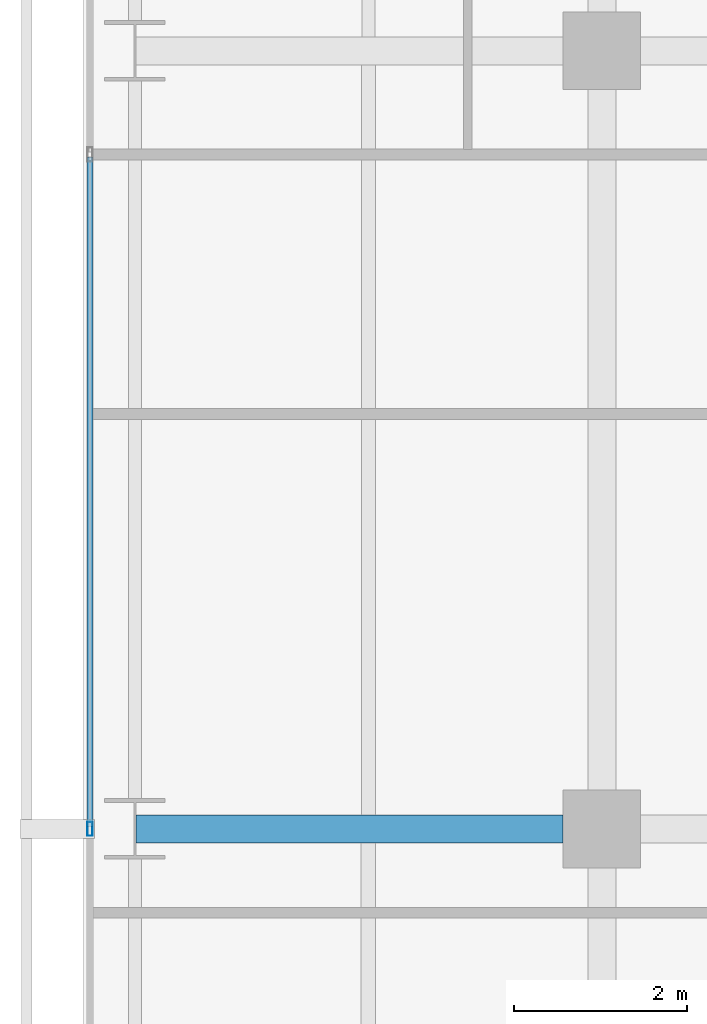
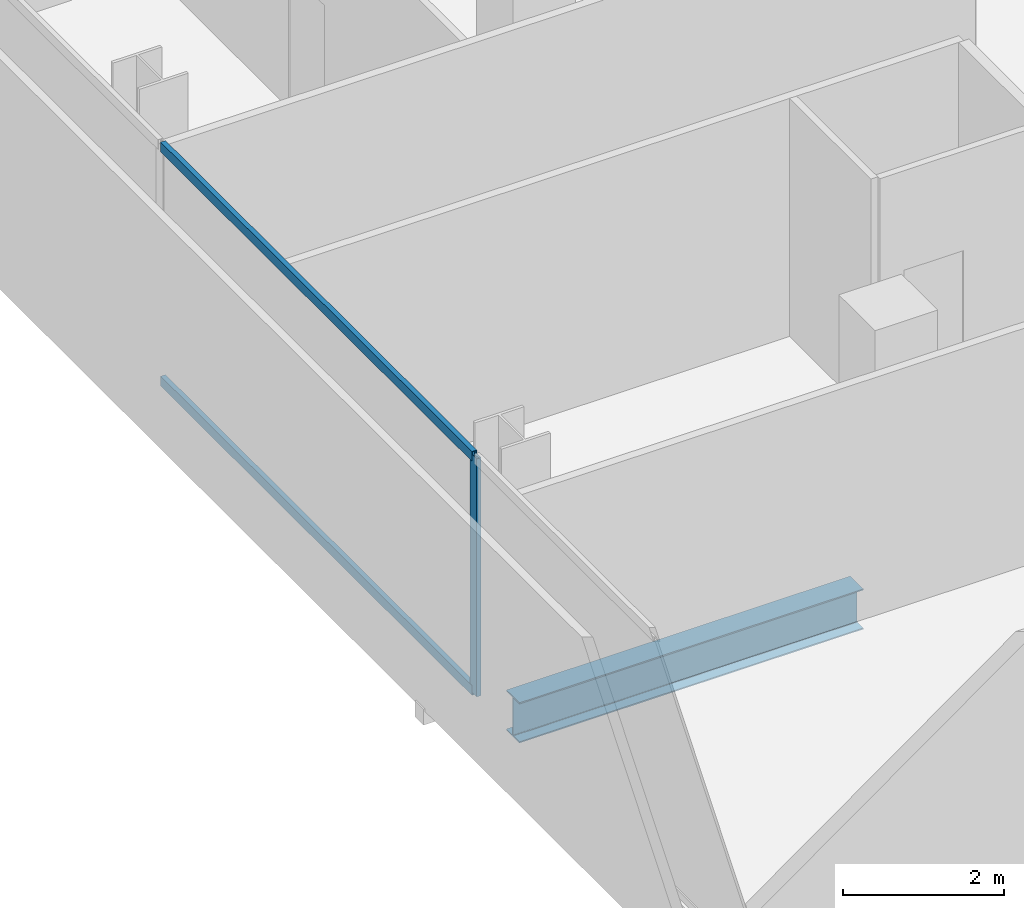
# One storey, part 12 of 40: 3 members, 1 beam, 1 element without a shape of its own.
"""IFC4 building model written with IfcOpenShell, lengths in metres."""

from ifc_helpers import new_model, si_unit, direction, frame, origin, origin_2d, place, context, subcontext, project, spatial, hollow_rectangle, i_section, extrude, material, layer, layer_set, material_profile, profile_set, type_object, element, aggregate, save


model = new_model("IFC4")

# Units and contexts
model_context = context("Model", 3, precision=1e-05, world=origin(), true_north=direction((0.0, 1.0)))
body_context = subcontext(model_context, "Body", "Model", "MODEL_VIEW")
ifc_project = project(units=[si_unit("LENGTHUNIT", "METRE"), si_unit("AREAUNIT", "SQUARE_METRE"), si_unit("VOLUMEUNIT", "CUBIC_METRE"), si_unit("PLANEANGLEUNIT", "RADIAN"), si_unit("MASSUNIT", "GRAM", prefix="KILO")], contexts=[model_context])

# Site, building, storey
site_placement = place(None, origin())
site = spatial("IfcSite", under=ifc_project, at=site_placement, CompositionType="ELEMENT")
building_placement = place(site_placement, origin())
building = spatial("IfcBuilding", under=site, at=building_placement, Name="Maruvema Waterfront Hotel and Observation Tower", CompositionType="ELEMENT")
storey_placement = place(building_placement, frame((0.0, 0.0, 92.39990234375)))
storey = spatial("IfcBuildingStorey", under=building, at=storey_placement, Name="L22", CompositionType="ELEMENT", Elevation=92.39990234375)

# Curtain wall, members
ifc_material_1 = material(Name="Anodised bronze aluminium and solar-control low-E IGU", Category="aluminium")
ifc_layer = layer(ifc_material_1, 0.159912109375, Name="Zone 1 Bronze Inner Thermal Curtain Wall System CW-02")
ifc_layer_set = layer_set([ifc_layer], Name="Anodised bronze aluminium and solar-control low-E IGU")
curtain_wall_type = type_object("IfcCurtainWallType", Name="Zone 1 Bronze Inner Thermal Curtain Wall System CW-02", PredefinedType="USERDEFINED", material=ifc_layer_set)
curtain_wall_placement = place(storey_placement, origin())
curtain_wall = element("IfcCurtainWall", 1, at=curtain_wall_placement, inside=storey, type_object=curtain_wall_type, Name="L22 Curtain Wall CW-L22-W", ObjectType="UNITISED CURTAIN WALL", PredefinedType="USERDEFINED")
ifc_material_2 = material(Name="Anodised architectural bronze aluminium", Category="aluminium")
ifc_material_profile_1 = material_profile(ifc_material_2, hollow_rectangle(XDim=0.070068359375, YDim=0.14990234375, WallThickness=0.00390625, at=origin_2d()), Name="ALU-T70x150")
ifc_profile_set_1 = profile_set([ifc_material_profile_1], Name="Anodised architectural bronze aluminium")
member_type_1 = type_object("IfcMemberType", Name="Curtain Wall Horizontal Transom ALU-T70x150", PredefinedType="USERDEFINED", material=ifc_profile_set_1)
member_1_placement = place(storey_placement, frame((10.8798828125, 34.77001953125, 0.030029296875), z_axis=(0.0, -1.0, 0.0), x_axis=(1.0, 0.0, 0.0)))
member_1 = element("IfcMember", 2, at=member_1_placement, type_object=member_type_1, Name="CW-02 transom 3.1", ObjectType="TRANSOM", PredefinedType="USERDEFINED", context=body_context, shape_type="SweptSolid", body=[
    extrude(hollow_rectangle(XDim=0.070068359375, YDim=0.14990234375, WallThickness=0.00390625, at=origin_2d()), origin(), (0.0, 0.0, 1.0), 7.739990234375),
])
member_2_placement = place(storey_placement, frame((10.8798828125, 34.77001953125, 3.580078125), z_axis=(0.0, -1.0, 0.0), x_axis=(1.0, 0.0, 0.0)))
member_2 = element("IfcMember", 3, at=member_2_placement, type_object=member_type_1, Name="CW-02 transom 3.2", ObjectType="TRANSOM", PredefinedType="USERDEFINED", context=body_context, shape_type="SweptSolid", body=[
    extrude(hollow_rectangle(XDim=0.070068359375, YDim=0.14990234375, WallThickness=0.00390625, at=origin_2d()), origin(), (0.0, 0.0, 1.0), 7.739990234375),
])
ifc_material_3 = material(Name="Anodised architectural bronze aluminium", Category="aluminium")
ifc_material_profile_2 = material_profile(ifc_material_3, hollow_rectangle(XDim=0.06494140625, YDim=0.1650390625, WallThickness=0.00390625, at=origin_2d()), Name="ALU-M65x165")
ifc_profile_set_2 = profile_set([ifc_material_profile_2], Name="Anodised architectural bronze aluminium")
member_type_2 = type_object("IfcMemberType", Name="Curtain Wall Primary Mullion ALU-M65x165", PredefinedType="MULLION", material=ifc_profile_set_2)
member_3_placement = place(storey_placement, frame((10.8798828125, 27.0, 0.0), z_axis=(0.0, 0.0, 1.0), x_axis=(1.0, 0.0, 0.0)))
member_3 = element("IfcMember", 4, at=member_3_placement, type_object=member_type_2, Name="CW-02 mullion 4", PredefinedType="MULLION", context=body_context, shape_type="SweptSolid", body=[
    extrude(hollow_rectangle(XDim=0.06494140625, YDim=0.1650390625, WallThickness=0.00390625, at=origin_2d()), origin(), (0.0, 0.0, 1.0), 3.610107421875),
])
aggregate(curtain_wall, [member_3, member_1, member_2])

# Beam
ifc_material_4 = material(Name="Steel ASTM A572 Grade 50", Category="steel")
ifc_material_profile_3 = material_profile(ifc_material_4, i_section(OverallWidth=0.323974609375, OverallDepth=0.611083984375, WebThickness=0.0126953125, FlangeThickness=0.01904296875, FilletRadius=0.01806640625, at=origin_2d()), Name="W610x155.0")
ifc_profile_set_3 = profile_set([ifc_material_profile_3], Name="Steel ASTM A572 Grade 50")
beam_type = type_object("IfcBeamType", Name="Primary Floor Girder W610x155.0", PredefinedType="BEAM", material=ifc_profile_set_3)
beam_placement = place(storey_placement, frame((11.4140625, 27.0, -0.54541015625), z_axis=(1.0, 0.0, 0.0), x_axis=(0.0, 1.0, 0.0)))
element("IfcBeam", 5, at=beam_placement, inside=storey, type_object=beam_type, Name="L22 Floor Girder EW-20", PredefinedType="BEAM", context=body_context, shape_type="SweptSolid", body=[
    extrude(i_section(OverallWidth=0.323974609375, OverallDepth=0.611083984375, WebThickness=0.0126953125, FlangeThickness=0.01904296875, FilletRadius=0.01806640625, at=origin_2d()), origin(), (0.0, 0.0, 1.0), 4.93603515625),
])

save(model, "model.ifc")
